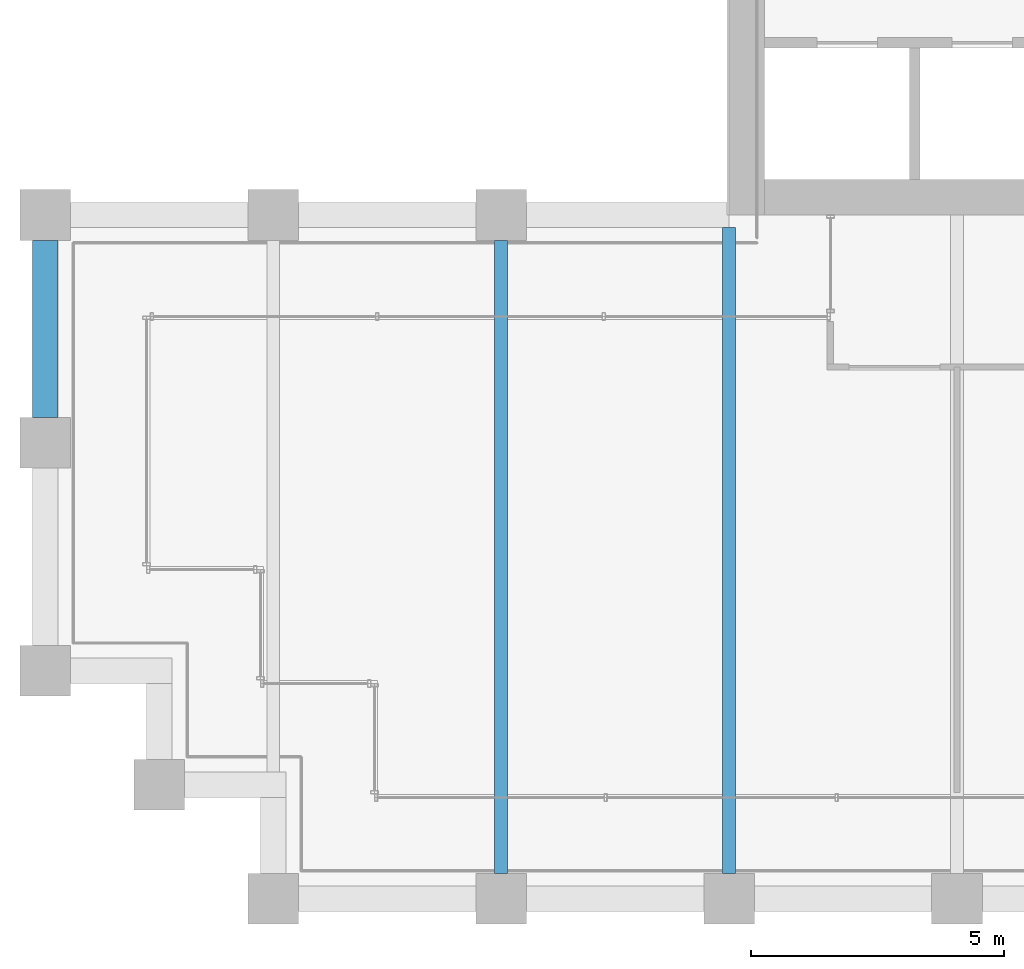
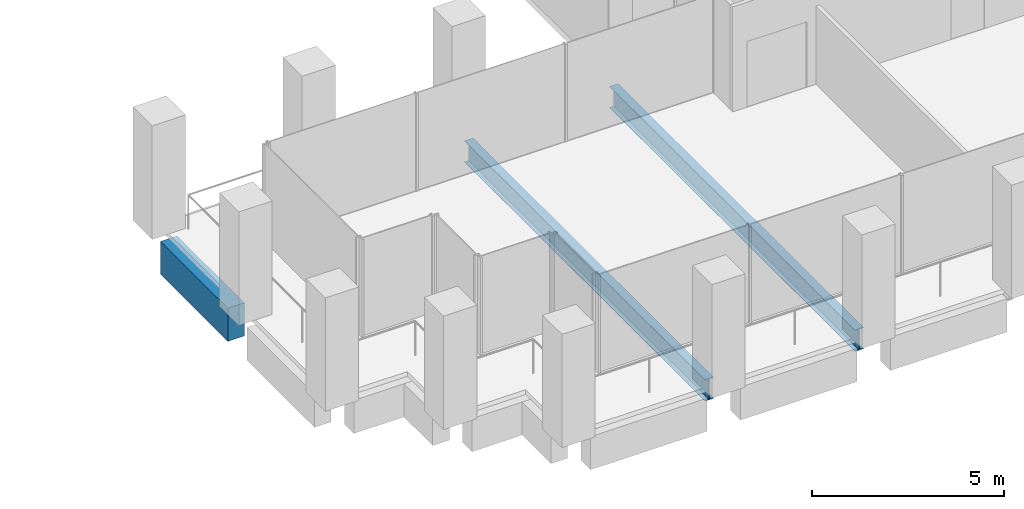
# One storey, part 4 of 45: 3 beams.
"""IFC4 building model written with IfcOpenShell, lengths in metres."""

from ifc_helpers import new_model, si_unit, direction, frame, origin, origin_2d, place, context, subcontext, project, spatial, rectangle, i_section, extrude, material, material_profile, profile_set, type_object, element, save


model = new_model("IFC4")

# Units and contexts
model_context = context("Model", 3, precision=1e-05, world=origin(), true_north=direction((0.0, 1.0)))
body_context = subcontext(model_context, "Body", "Model", "MODEL_VIEW")
ifc_project = project(units=[si_unit("LENGTHUNIT", "METRE"), si_unit("AREAUNIT", "SQUARE_METRE"), si_unit("VOLUMEUNIT", "CUBIC_METRE"), si_unit("PLANEANGLEUNIT", "RADIAN"), si_unit("MASSUNIT", "GRAM", prefix="KILO")], contexts=[model_context])

# Site, building, storey
site_placement = place(None, origin())
site = spatial("IfcSite", under=ifc_project, at=site_placement, CompositionType="ELEMENT")
building_placement = place(site_placement, origin())
building = spatial("IfcBuilding", under=site, at=building_placement, Name="Altepetl Exchange Towers", CompositionType="ELEMENT")
storey_placement = place(building_placement, frame((0.0, 0.0, 110.0)))
storey = spatial("IfcBuildingStorey", under=building, at=storey_placement, Name="L27", CompositionType="ELEMENT", Elevation=110.0)

# Beams
ifc_material_1 = material(Name="Steel S355", Category="steel")
ifc_material_profile_1 = material_profile(ifc_material_1, i_section(OverallWidth=0.25390625, OverallDepth=0.68408203125, WebThickness=0.012451171875, FlangeThickness=0.018798828125, at=origin_2d()), Name="W27X94")
ifc_profile_set_1 = profile_set([ifc_material_profile_1], Name="Steel S355")
beam_type_1 = type_object("IfcBeamType", Name="Floor beam W27X94", PredefinedType="BEAM", material=ifc_profile_set_1)
beam_1_placement = place(storey_placement, frame((36.0, 27.5, -0.491943359375), z_axis=(0.0, 1.0, 0.0), x_axis=(-1.0, 0.0, 0.0)))
element("IfcBeam", 1, at=beam_1_placement, inside=storey, type_object=beam_type_1, Name="bm:A:L27:013", PredefinedType="BEAM", context=body_context, shape_type="SweptSolid", body=[
    extrude(i_section(OverallWidth=0.25390625, OverallDepth=0.68408203125, WebThickness=0.012451171875, FlangeThickness=0.018798828125, at=origin_2d()), origin(), (0.0, 0.0, 1.0), 12.5),
])
beam_2_placement = place(storey_placement, frame((40.5, 27.5, -0.491943359375), z_axis=(0.0, 1.0, 0.0), x_axis=(-1.0, 0.0, 0.0)))
element("IfcBeam", 2, at=beam_2_placement, inside=storey, type_object=beam_type_1, Name="bm:A:L27:014", PredefinedType="BEAM", context=body_context, shape_type="SweptSolid", body=[
    extrude(i_section(OverallWidth=0.25390625, OverallDepth=0.68408203125, WebThickness=0.012451171875, FlangeThickness=0.018798828125, at=origin_2d()), origin(), (0.0, 0.0, 1.0), 12.75),
])
ifc_material_2 = material(Name="Concrete C50/60 precast with cantera blanca facing", Category="concrete")
ifc_material_profile_2 = material_profile(ifc_material_2, rectangle(XDim=0.5, YDim=1.050048828125, at=origin_2d()), Name="500 x 1050")
ifc_profile_set_2 = profile_set([ifc_material_profile_2], Name="Concrete C50/60 precast with cantera blanca facing")
beam_type_2 = type_object("IfcBeamType", Name="Spandrel beam 500x1050 cantera blanca", PredefinedType="SPANDREL", material=ifc_profile_set_2)
beam_3_placement = place(storey_placement, frame((27.0, 40.0, -0.675048828125), z_axis=(0.0, -1.0, 0.0), x_axis=(1.0, 0.0, 0.0)))
element("IfcBeam", 3, at=beam_3_placement, inside=storey, type_object=beam_type_2, Name="sp:A:L27:036", PredefinedType="SPANDREL", context=body_context, shape_type="SweptSolid", body=[
    extrude(rectangle(XDim=0.5, YDim=1.050048828125, at=origin_2d()), origin(), (0.0, 0.0, 1.0), 3.5),
])

save(model, "model.ifc")
